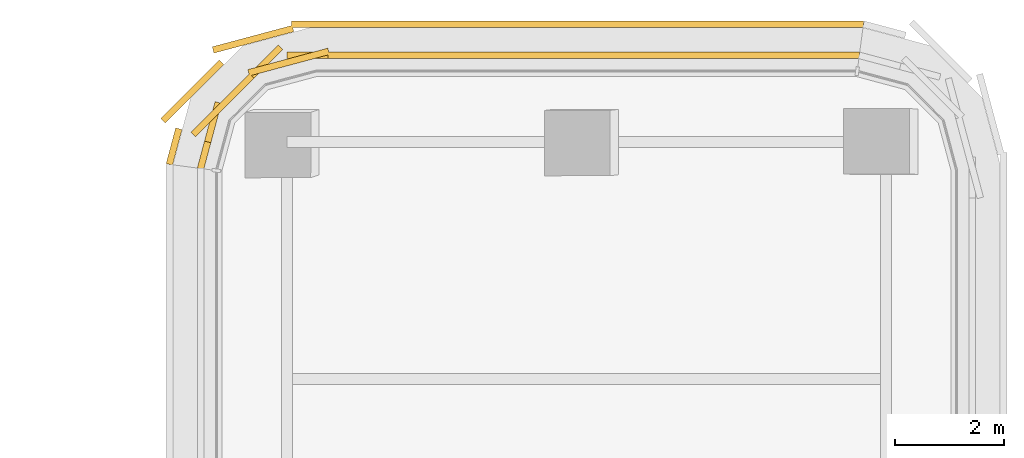
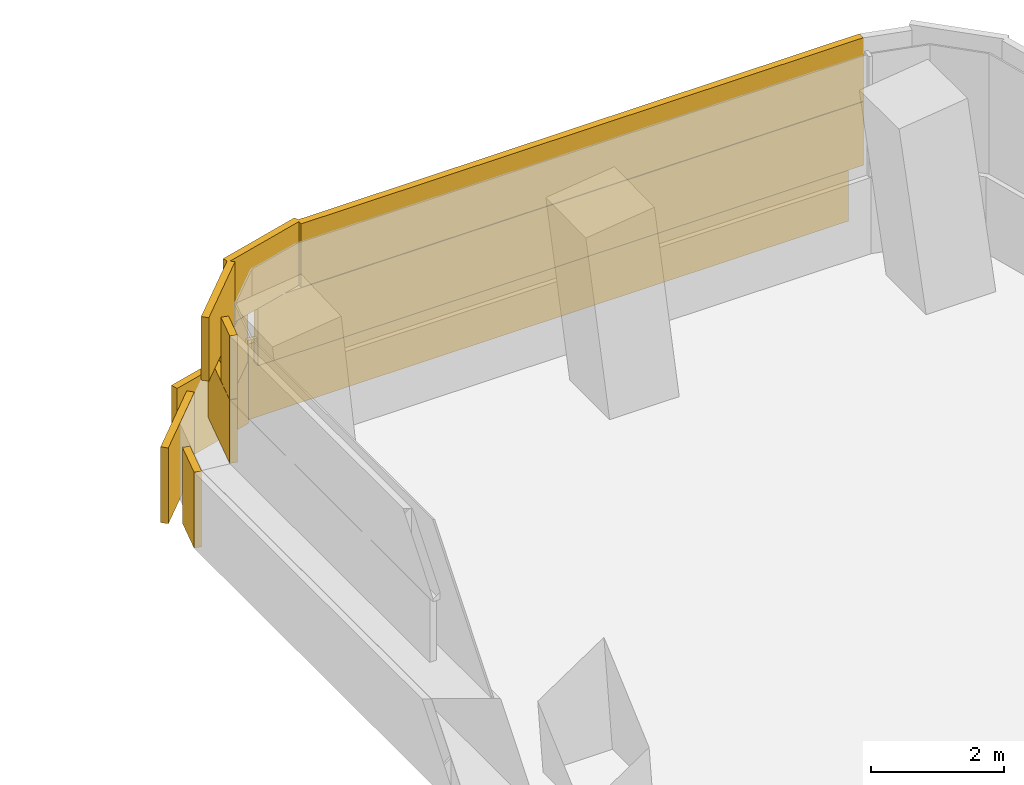
# One storey, part 31 of 32: 1 covering.
"""IFC4 building model written with IfcOpenShell, lengths in metres."""

from ifc_helpers import new_model, si_unit, direction, frame, origin, origin_2d, place, context, subcontext, project, spatial, rectangle, extrude, material, layer, layer_set, type_object, element, save


model = new_model("IFC4")

# Units and contexts
model_context = context("Model", 3, precision=1e-05, world=origin(), true_north=direction((0.0, 1.0)))
body_context = subcontext(model_context, "Body", "Model", "MODEL_VIEW")
ifc_project = project(units=[si_unit("LENGTHUNIT", "METRE"), si_unit("AREAUNIT", "SQUARE_METRE"), si_unit("VOLUMEUNIT", "CUBIC_METRE"), si_unit("PLANEANGLEUNIT", "RADIAN"), si_unit("MASSUNIT", "GRAM", prefix="KILO")], contexts=[model_context])

# Site, building, storey
site_placement = place(None, origin())
site = spatial("IfcSite", under=ifc_project, at=site_placement, CompositionType="ELEMENT")
building_placement = place(site_placement, origin())
building = spatial("IfcBuilding", under=site, at=building_placement, Name="Tamarind Cross Interchange Tower", CompositionType="ELEMENT")
storey_placement = place(building_placement, frame((0.0, 0.0, 34.0)))
storey = spatial("IfcBuildingStorey", under=building, at=storey_placement, Name="L06", CompositionType="ELEMENT", Elevation=34.0)

# Covering
ifc_material = material(Name="Terracotta", Category="masonry")
ifc_layer = layer(ifc_material, 0.1201171875)
ifc_layer_set = layer_set([ifc_layer], Name="Terracotta")
covering_type = type_object("IfcCoveringType", Name="Terracotta baguette screen unit", PredefinedType="MOLDING", material=ifc_layer_set)
covering_placement = place(storey_placement, origin())
element("IfcCovering", 1, at=covering_placement, inside=storey, type_object=covering_type, Name="SCR-L06-13-00", PredefinedType="MOLDING", context=body_context, shape_type="SweptSolid", body=[
    extrude(rectangle(XDim=1.510009765625, YDim=0.1201171875, at=origin_2d()), frame((4.261962890625, 49.59765625, 1.404052734375), z_axis=(0.0, 0.0, 1.0), x_axis=(-1.0, 0.0, 0.0)), (0.0, 0.0, 1.0), 1.1669921875),
    extrude(rectangle(XDim=1.52001953125, YDim=0.1201171875, at=origin_2d()), frame((2.761962890625, 49.59765625, 1.404052734375), z_axis=(0.0, 0.0, 1.0), x_axis=(-1.0, 0.0, 0.0)), (0.0, 0.0, 1.0), 1.1669921875),
    extrude(rectangle(XDim=1.52001953125, YDim=0.1201171875, at=origin_2d()), frame((1.261962890625, 49.59765625, 1.404052734375), z_axis=(0.0, 0.0, 1.0), x_axis=(-1.0, 0.0, 0.0)), (0.0, 0.0, 1.0), 1.1669921875),
    extrude(rectangle(XDim=1.52001953125, YDim=0.1201171875, at=origin_2d()), frame((-0.238037109375, 49.59765625, 1.404052734375), z_axis=(0.0, 0.0, 1.0), x_axis=(-1.0, 0.0, 0.0)), (0.0, 0.0, 1.0), 1.1669921875),
    extrude(rectangle(XDim=1.52001953125, YDim=0.1201171875, at=origin_2d()), frame((-1.738037109375, 49.59765625, 1.404052734375), z_axis=(0.0, 0.0, 1.0), x_axis=(-1.0, 0.0, 0.0)), (0.0, 0.0, 1.0), 1.1669921875),
    extrude(rectangle(XDim=1.52001953125, YDim=0.1201171875, at=origin_2d()), frame((-3.238037109375, 49.59765625, 1.404052734375), z_axis=(0.0, 0.0, 1.0), x_axis=(-1.0, 0.0, 0.0)), (0.0, 0.0, 1.0), 1.1669921875),
    extrude(rectangle(XDim=1.52001953125, YDim=0.1201171875, at=origin_2d()), frame((-4.738037109375, 49.59765625, 1.404052734375), z_axis=(0.0, 0.0, 1.0), x_axis=(-1.0, 0.0, 0.0)), (0.0, 0.0, 1.0), 1.1669921875),
    extrude(rectangle(XDim=1.52001953125, YDim=0.1201171875, at=origin_2d()), frame((-6.15625, 49.210693359375, 1.404052734375), z_axis=(0.0, 0.0, 1.0), x_axis=(-0.707106781187, -0.707106781187, 0.0)), (0.0, 0.0, 1.0), 1.1669921875),
    extrude(rectangle(XDim=1.259765625, YDim=0.1201171875, at=origin_2d()), frame((-6.92822265625, 48.123046875, 1.404052734375), z_axis=(0.0, 0.0, 1.0), x_axis=(-0.258819045103, -0.965925826289, 0.0)), (0.0, 0.0, 1.0), 1.1669921875),
    extrude(rectangle(XDim=0.760009765625, YDim=0.1201171875, at=origin_2d()), frame((4.636962890625, 49.59765625, 2.5791015625), z_axis=(0.0, 0.0, 1.0), x_axis=(-1.0, 0.0, 0.0)), (0.0, 0.0, 1.0), 1.1669921875),
    extrude(rectangle(XDim=1.52001953125, YDim=0.1201171875, at=origin_2d()), frame((3.511962890625, 49.59765625, 2.5791015625), z_axis=(0.0, 0.0, 1.0), x_axis=(-1.0, 0.0, 0.0)), (0.0, 0.0, 1.0), 1.1669921875),
    extrude(rectangle(XDim=1.52001953125, YDim=0.1201171875, at=origin_2d()), frame((2.011962890625, 49.59765625, 2.5791015625), z_axis=(0.0, 0.0, 1.0), x_axis=(-1.0, 0.0, 0.0)), (0.0, 0.0, 1.0), 1.1669921875),
    extrude(rectangle(XDim=1.52001953125, YDim=0.1201171875, at=origin_2d()), frame((0.511962890625, 49.59765625, 2.5791015625), z_axis=(0.0, 0.0, 1.0), x_axis=(-1.0, 0.0, 0.0)), (0.0, 0.0, 1.0), 1.1669921875),
    extrude(rectangle(XDim=1.52001953125, YDim=0.1201171875, at=origin_2d()), frame((-0.988037109375, 49.59765625, 2.5791015625), z_axis=(0.0, 0.0, 1.0), x_axis=(-1.0, 0.0, 0.0)), (0.0, 0.0, 1.0), 1.1669921875),
    extrude(rectangle(XDim=1.52001953125, YDim=0.1201171875, at=origin_2d()), frame((-2.488037109375, 49.59765625, 2.5791015625), z_axis=(0.0, 0.0, 1.0), x_axis=(-1.0, 0.0, 0.0)), (0.0, 0.0, 1.0), 1.1669921875),
    extrude(rectangle(XDim=1.52001953125, YDim=0.1201171875, at=origin_2d()), frame((-3.988037109375, 49.59765625, 2.5791015625), z_axis=(0.0, 0.0, 1.0), x_axis=(-1.0, 0.0, 0.0)), (0.0, 0.0, 1.0), 1.1669921875),
    extrude(rectangle(XDim=1.52001953125, YDim=0.1201171875, at=origin_2d()), frame((-5.471923828125, 49.474365234375, 2.5791015625), z_axis=(0.0, 0.0, 1.0), x_axis=(-0.965925826289, -0.258819045103, 0.0)), (0.0, 0.0, 1.0), 1.1669921875),
    extrude(rectangle(XDim=1.52001953125, YDim=0.1201171875, at=origin_2d()), frame((-6.6865234375, 48.680419921875, 2.5791015625), z_axis=(0.0, 0.0, 1.0), x_axis=(-0.707106781187, -0.707106781187, 0.0)), (0.0, 0.0, 1.0), 1.1669921875),
    extrude(rectangle(XDim=0.509765625, YDim=0.1201171875, at=origin_2d()), frame((-7.025390625, 47.7607421875, 2.5791015625), z_axis=(0.0, 0.0, 1.0), x_axis=(-0.258819045103, -0.965925826289, 0.0)), (0.0, 0.0, 1.0), 1.1669921875),
    extrude(rectangle(XDim=1.510009765625, YDim=0.1201171875, at=origin_2d()), frame((4.33251953125, 50.171630859375, 0.00390625), z_axis=(0.0, 0.0, 1.0), x_axis=(-1.0, 0.0, 0.0)), (0.0, 0.0, 1.0), 1.39208984375),
    extrude(rectangle(XDim=1.52001953125, YDim=0.1201171875, at=origin_2d()), frame((2.83740234375, 50.171630859375, 0.00390625), z_axis=(0.0, 0.0, 1.0), x_axis=(-1.0, 0.0, 0.0)), (0.0, 0.0, 1.0), 1.39208984375),
    extrude(rectangle(XDim=1.52001953125, YDim=0.1201171875, at=origin_2d()), frame((1.33740234375, 50.171630859375, 0.00390625), z_axis=(0.0, 0.0, 1.0), x_axis=(-1.0, 0.0, 0.0)), (0.0, 0.0, 1.0), 1.39208984375),
    extrude(rectangle(XDim=1.52001953125, YDim=0.1201171875, at=origin_2d()), frame((-0.16259765625, 50.171630859375, 0.00390625), z_axis=(0.0, 0.0, 1.0), x_axis=(-1.0, 0.0, 0.0)), (0.0, 0.0, 1.0), 1.39208984375),
    extrude(rectangle(XDim=1.52001953125, YDim=0.1201171875, at=origin_2d()), frame((-1.66259765625, 50.171630859375, 0.00390625), z_axis=(0.0, 0.0, 1.0), x_axis=(-1.0, 0.0, 0.0)), (0.0, 0.0, 1.0), 1.39208984375),
    extrude(rectangle(XDim=1.52001953125, YDim=0.1201171875, at=origin_2d()), frame((-3.16259765625, 50.171630859375, 0.00390625), z_axis=(0.0, 0.0, 1.0), x_axis=(-1.0, 0.0, 0.0)), (0.0, 0.0, 1.0), 1.39208984375),
    extrude(rectangle(XDim=1.52001953125, YDim=0.1201171875, at=origin_2d()), frame((-4.66259765625, 50.171630859375, 0.00390625), z_axis=(0.0, 0.0, 1.0), x_axis=(-1.0, 0.0, 0.0)), (0.0, 0.0, 1.0), 1.39208984375),
    extrude(rectangle(XDim=1.52001953125, YDim=0.1201171875, at=origin_2d()), frame((-6.1259765625, 49.893310546875, 0.00390625), z_axis=(0.0, 0.0, 1.0), x_axis=(-0.965925826289, -0.258819045103, 0.0)), (0.0, 0.0, 1.0), 1.39208984375),
    extrude(rectangle(XDim=1.52001953125, YDim=0.1201171875, at=origin_2d()), frame((-7.244873046875, 48.93359375, 0.00390625), z_axis=(0.0, 0.0, 1.0), x_axis=(-0.707106781187, -0.707106781187, 0.0)), (0.0, 0.0, 1.0), 1.39208984375),
    extrude(rectangle(XDim=0.67724609375, YDim=0.1201171875, at=origin_2d()), frame((-7.576416015625, 47.922119140625, 0.00390625), z_axis=(0.0, 0.0, 1.0), x_axis=(-0.258819045103, -0.965925826289, 0.0)), (0.0, 0.0, 1.0), 1.39208984375),
])

save(model, "model.ifc")
